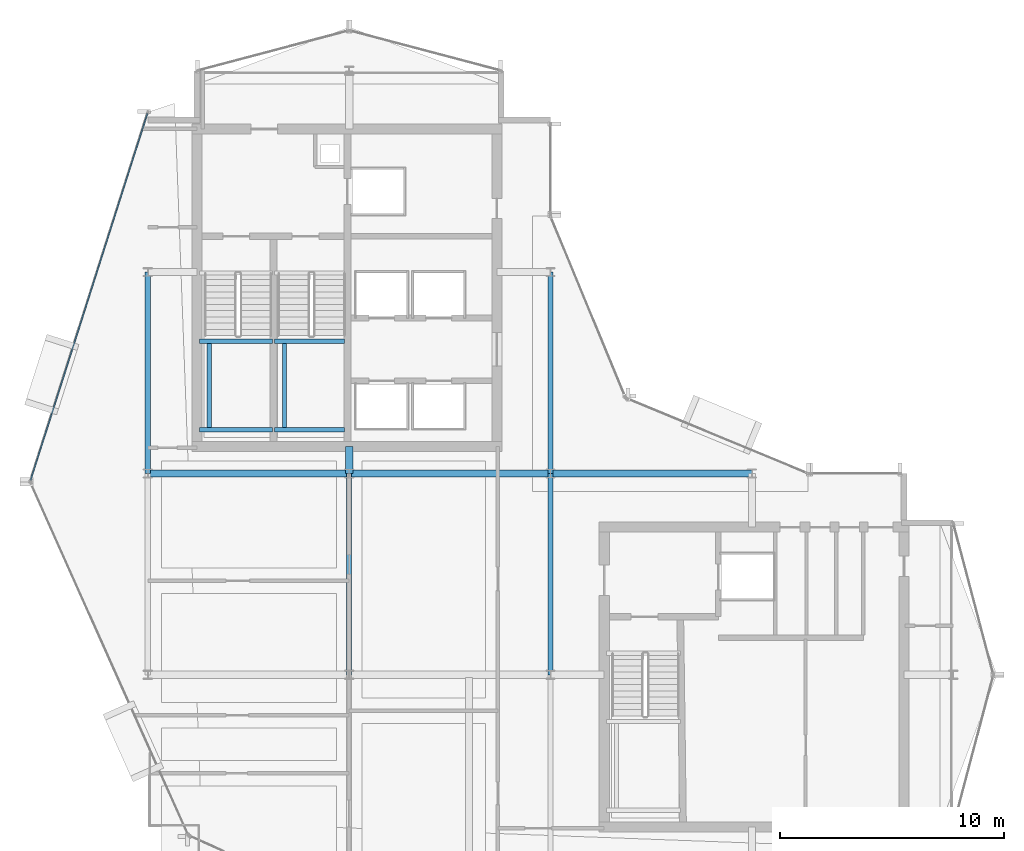
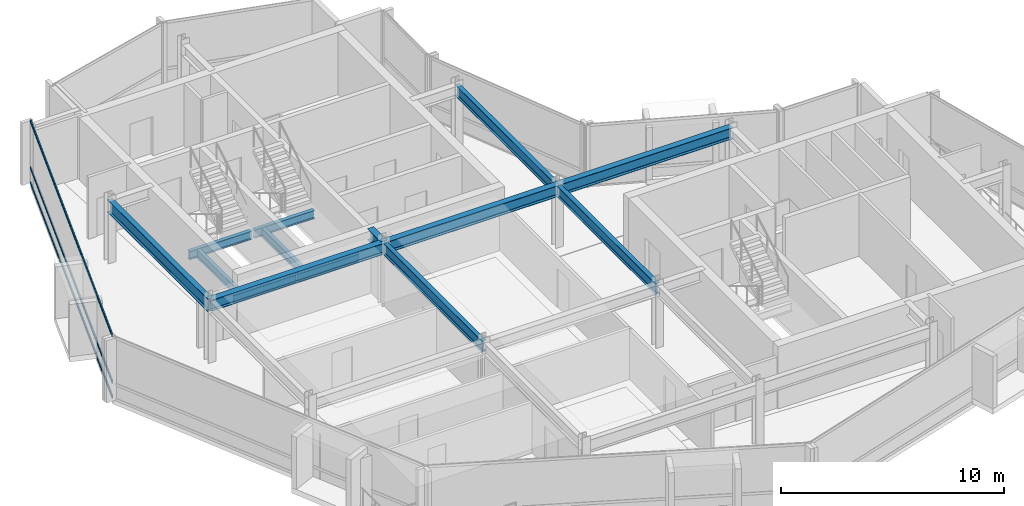
# One storey, part 7 of 19: 14 beams, 3 members, 1 element without a shape of its own.
"""IFC4 building model written with IfcOpenShell, lengths in metres."""

from ifc_helpers import new_model, si_unit, direction, frame, origin, origin_2d, place, context, subcontext, project, spatial, hollow_rectangle, i_section, extrude, material, layer, layer_set, material_profile, profile_set, type_object, element, aggregate, save


model = new_model("IFC4")

# Units and contexts
model_context = context("Model", 3, precision=1e-05, world=origin(), true_north=direction((0.0, 1.0)))
body_context = subcontext(model_context, "Body", "Model", "MODEL_VIEW")
ifc_project = project(units=[si_unit("LENGTHUNIT", "METRE"), si_unit("AREAUNIT", "SQUARE_METRE"), si_unit("VOLUMEUNIT", "CUBIC_METRE"), si_unit("PLANEANGLEUNIT", "RADIAN"), si_unit("MASSUNIT", "GRAM", prefix="KILO")], contexts=[model_context])

# Site, building, storey
site_placement = place(None, origin())
site = spatial("IfcSite", under=ifc_project, at=site_placement, CompositionType="ELEMENT")
building_placement = place(site_placement, origin())
building = spatial("IfcBuilding", under=site, at=building_placement, Name="Solvaryn Broadcast Tower", CompositionType="ELEMENT")
storey_placement = place(building_placement, frame((0.0, 0.0, 244.5)))
storey = spatial("IfcBuildingStorey", under=building, at=storey_placement, Name="L61", CompositionType="ELEMENT", Elevation=244.5)

# Beams
ifc_material_1 = material(Name="Steel ASTM A992 Grade 50", Category="steel")
ifc_material_profile_1 = material_profile(ifc_material_1, i_section(OverallWidth=0.323974609375, OverallDepth=0.611083984375, WebThickness=0.0126953125, FlangeThickness=0.01904296875, FilletRadius=0.014892578125, at=origin_2d()))
ifc_profile_set_1 = profile_set([ifc_material_profile_1], Name="Steel ASTM A992 Grade 50")
beam_type_1 = type_object("IfcBeamType", Name="BM-B1-W24X104", PredefinedType="BEAM", material=ifc_profile_set_1)
for number, where, z_axis, x_axis, name in (
    (1, (9.0, 27.0, 3.114501953125), (1.0, 0.0, 0.0), (0.0, 1.0, 0.0), "L61 Primary Beam X (9-18 @ Y=27)"),
    (2, (18.0, 27.0, 3.114501953125), (1.0, 0.0, 0.0), (0.0, 1.0, 0.0), "L61 Primary Beam X (18-27 @ Y=27)"),
    (3, (27.0, 27.0, 3.114501953125), (1.0, 0.0, 0.0), (0.0, 1.0, 0.0), "L61 Primary Beam X (27-36 @ Y=27)"),
):
    element("IfcBeam", number, at=place(storey_placement, frame(where, z_axis=z_axis, x_axis=x_axis)), inside=storey, type_object=beam_type_1, Name=name, PredefinedType="BEAM", context=body_context, shape_type="SweptSolid", body=[
        extrude(i_section(OverallWidth=0.323974609375, OverallDepth=0.611083984375, WebThickness=0.0126953125, FlangeThickness=0.01904296875, FilletRadius=0.014892578125, at=origin_2d()), origin(), (0.0, 0.0, 1.0), 9.0),
    ])
beam_1_placement = place(storey_placement, frame((18.0, 27.0, 3.114501953125), z_axis=(0.0, 1.0, 0.0), x_axis=(-1.0, 0.0, 0.0)))
element("IfcBeam", 4, at=beam_1_placement, inside=storey, type_object=beam_type_1, Name="L61 Core Tie Beam CTW4", PredefinedType="BEAM", context=body_context, shape_type="SweptSolid", body=[
    extrude(i_section(OverallWidth=0.323974609375, OverallDepth=0.611083984375, WebThickness=0.0126953125, FlangeThickness=0.01904296875, FilletRadius=0.014892578125, at=origin_2d()), origin(), (0.0, 0.0, 1.0), 1.199951171875),
])
ifc_material_2 = material(Name="Steel ASTM A992 Grade 50", Category="steel")
ifc_material_profile_2 = material_profile(ifc_material_2, i_section(OverallWidth=0.22802734375, OverallDepth=0.60791015625, WebThickness=0.01123046875, FlangeThickness=0.017333984375, FilletRadius=0.014892578125, at=origin_2d()))
ifc_profile_set_2 = profile_set([ifc_material_profile_2], Name="Steel ASTM A992 Grade 50")
beam_type_2 = type_object("IfcBeamType", Name="BM-B2-W24X76", PredefinedType="BEAM", material=ifc_profile_set_2)
for number, where, z_axis, x_axis, name in (
    (5, (18.0, 18.0, 3.115966796875), (0.0, 1.0, 0.0), (-1.0, 0.0, 0.0), "L61 Primary Beam Y (18-27 @ X=18)"),
    (6, (27.0, 18.0, 3.115966796875), (0.0, 1.0, 0.0), (-1.0, 0.0, 0.0), "L61 Primary Beam Y (18-27 @ X=27)"),
    (7, (27.0, 27.0, 3.115966796875), (0.0, 1.0, 0.0), (-1.0, 0.0, 0.0), "L61 Primary Beam Y (27-36 @ X=27)"),
):
    element("IfcBeam", number, at=place(storey_placement, frame(where, z_axis=z_axis, x_axis=x_axis)), inside=storey, type_object=beam_type_2, Name=name, PredefinedType="BEAM", context=body_context, shape_type="SweptSolid", body=[
        extrude(i_section(OverallWidth=0.22802734375, OverallDepth=0.60791015625, WebThickness=0.01123046875, FlangeThickness=0.017333984375, FilletRadius=0.014892578125, at=origin_2d()), origin(), (0.0, 0.0, 1.0), 9.0),
    ])
ifc_material_3 = material(Name="Steel ASTM A992 Grade 50", Category="steel")
ifc_material_profile_3 = material_profile(ifc_material_3, i_section(OverallWidth=0.18994140625, OverallDepth=0.45703125, WebThickness=0.009033203125, FlangeThickness=0.014404296875, FilletRadius=0.011962890625, at=origin_2d()))
ifc_profile_set_3 = profile_set([ifc_material_profile_3], Name="Steel ASTM A992 Grade 50")
beam_type_3 = type_object("IfcBeamType", Name="BM-B4-W18X50", PredefinedType="BEAM", material=ifc_profile_set_3)
for number, where, z_axis, x_axis, name in (
    (8, (11.300048828125, 28.949951171875, 1.42138671875), (1.0, 0.0, 0.0), (0.0, 1.0, 0.0), "L61 ST1 Landing Support Beam 1A"),
    (9, (11.300048828125, 32.909912109375, 1.42138671875), (1.0, 0.0, 0.0), (0.0, 1.0, 0.0), "L61 ST1 Landing Support Beam 1B"),
):
    element("IfcBeam", number, at=place(storey_placement, frame(where, z_axis=z_axis, x_axis=x_axis)), inside=storey, type_object=beam_type_3, Name=name, PredefinedType="BEAM", context=body_context, shape_type="SweptSolid", body=[
        extrude(i_section(OverallWidth=0.18994140625, OverallDepth=0.45703125, WebThickness=0.009033203125, FlangeThickness=0.014404296875, FilletRadius=0.011962890625, at=origin_2d()), origin(), (0.0, 0.0, 1.0), 3.280029296875),
    ])
beam_2_placement = place(storey_placement, frame((11.75, 28.949951171875, 1.42138671875), z_axis=(0.0, 1.0, 0.0), x_axis=(-1.0, 0.0, 0.0)))
element("IfcBeam", 10, at=beam_2_placement, inside=storey, type_object=beam_type_3, Name="L61 ST1 Landing Cross Stringer 1C", PredefinedType="BEAM", context=body_context, shape_type="SweptSolid", body=[
    extrude(i_section(OverallWidth=0.18994140625, OverallDepth=0.45703125, WebThickness=0.009033203125, FlangeThickness=0.014404296875, FilletRadius=0.011962890625, at=origin_2d()), origin(), (0.0, 0.0, 1.0), 3.9599609375),
])
for number, where, z_axis, x_axis, name in (
    (11, (14.659912109375, 28.949951171875, 1.42138671875), (1.0, 0.0, 0.0), (0.0, 1.0, 0.0), "L61 ST2 Landing Support Beam 1A"),
    (12, (14.659912109375, 32.909912109375, 1.42138671875), (1.0, 0.0, 0.0), (0.0, 1.0, 0.0), "L61 ST2 Landing Support Beam 1B"),
):
    element("IfcBeam", number, at=place(storey_placement, frame(where, z_axis=z_axis, x_axis=x_axis)), inside=storey, type_object=beam_type_3, Name=name, PredefinedType="BEAM", context=body_context, shape_type="SweptSolid", body=[
        extrude(i_section(OverallWidth=0.18994140625, OverallDepth=0.45703125, WebThickness=0.009033203125, FlangeThickness=0.014404296875, FilletRadius=0.011962890625, at=origin_2d()), origin(), (0.0, 0.0, 1.0), 3.14013671875),
    ])
beam_3_placement = place(storey_placement, frame((15.110107421875, 28.949951171875, 1.42138671875), z_axis=(0.0, 1.0, 0.0), x_axis=(-1.0, 0.0, 0.0)))
element("IfcBeam", 13, at=beam_3_placement, inside=storey, type_object=beam_type_3, Name="L61 ST2 Landing Cross Stringer 1C", PredefinedType="BEAM", context=body_context, shape_type="SweptSolid", body=[
    extrude(i_section(OverallWidth=0.18994140625, OverallDepth=0.45703125, WebThickness=0.009033203125, FlangeThickness=0.014404296875, FilletRadius=0.011962890625, at=origin_2d()), origin(), (0.0, 0.0, 1.0), 3.9599609375),
])
ifc_material_4 = material(Name="Steel ASTM A992 Grade 50", Category="steel")
ifc_material_profile_4 = material_profile(ifc_material_4, i_section(OverallWidth=0.256103515625, OverallDepth=0.693115234375, WebThickness=0.014404296875, FlangeThickness=0.023681640625, FilletRadius=0.01611328125, at=origin_2d()))
ifc_profile_set_4 = profile_set([ifc_material_profile_4], Name="Steel ASTM A992 Grade 50")
beam_type_4 = type_object("IfcBeamType", Name="BM-SP3-W27X114", PredefinedType="USERDEFINED", material=ifc_profile_set_4)
beam_4_placement = place(storey_placement, frame((9.0, 27.0, 3.073486328125), z_axis=(0.0, 1.0, 0.0), x_axis=(-1.0, 0.0, 0.0)))
element("IfcBeam", 14, at=beam_4_placement, inside=storey, type_object=beam_type_4, Name="L61 Spandrel Beam Y (27-36 @ X=9)", ObjectType="SPANDREL", PredefinedType="USERDEFINED", context=body_context, shape_type="SweptSolid", body=[
    extrude(i_section(OverallWidth=0.256103515625, OverallDepth=0.693115234375, WebThickness=0.014404296875, FlangeThickness=0.023681640625, FilletRadius=0.01611328125, at=origin_2d()), origin(), (0.0, 0.0, 1.0), 9.0),
])

# Curtain wall, members
ifc_material_5 = material(Name="Aluminium and Terracotta Unitised Curtain Wall", Category="masonry")
ifc_layer = layer(ifc_material_5, 0.199951171875)
ifc_layer_set = layer_set([ifc_layer], Name="CW-SYS2-LOWMID")
curtain_wall_type = type_object("IfcCurtainWallType", Name="CW-SYS2-LOWMID", PredefinedType="NOTDEFINED", material=ifc_layer_set)
curtain_wall_placement = place(storey_placement, origin())
curtain_wall = element("IfcCurtainWall", 15, at=curtain_wall_placement, inside=storey, type_object=curtain_wall_type, Name="L61 Curtain Wall DR1", PredefinedType="NOTDEFINED")
ifc_material_6 = material(Name="Anodised Aluminium 6063-T6", Category="aluminium")
ifc_material_profile_5 = material_profile(ifc_material_6, hollow_rectangle(XDim=0.06494140625, YDim=0.14990234375, WallThickness=0.00390625, InnerFilletRadius=0.00390625, OuterFilletRadius=0.008056640625, at=origin_2d()))
ifc_profile_set_5 = profile_set([ifc_material_profile_5], Name="Anodised Aluminium 6063-T6")
member_type = type_object("IfcMemberType", Name="CW-TRN-150", PredefinedType="USERDEFINED", material=ifc_profile_set_5)
member_1_placement = place(storey_placement, frame((8.981689453125, 43.091796875, 0.030029296875), z_axis=(-0.303616405252, -0.952794352661, 0.0), x_axis=(0.952794352661, -0.303616405252, 0.0)))
member_1 = element("IfcMember", 16, at=member_1_placement, type_object=member_type, Name="CWS2 transom 1.1", ObjectType="TRANSOM", PredefinedType="USERDEFINED", context=body_context, shape_type="SweptSolid", body=[
    extrude(hollow_rectangle(XDim=0.06494140625, YDim=0.14990234375, WallThickness=0.00390625, InnerFilletRadius=0.00390625, OuterFilletRadius=0.008056640625, at=origin_2d()), origin(), (0.0, 0.0, 1.0), 17.211181640625),
])
member_2_placement = place(storey_placement, frame((8.981689453125, 43.091796875, 0.85009765625), z_axis=(-0.303616405252, -0.952794352661, 0.0), x_axis=(0.952794352661, -0.303616405252, 0.0)))
member_2 = element("IfcMember", 17, at=member_2_placement, type_object=member_type, Name="CWS2 transom 1.2", ObjectType="TRANSOM", PredefinedType="USERDEFINED", context=body_context, shape_type="SweptSolid", body=[
    extrude(hollow_rectangle(XDim=0.06494140625, YDim=0.14990234375, WallThickness=0.00390625, InnerFilletRadius=0.00390625, OuterFilletRadius=0.008056640625, at=origin_2d()), origin(), (0.0, 0.0, 1.0), 17.211181640625),
])
member_3_placement = place(storey_placement, frame((8.981689453125, 43.091796875, 3.389892578125), z_axis=(-0.303616405252, -0.952794352661, 0.0), x_axis=(0.952794352661, -0.303616405252, 0.0)))
member_3 = element("IfcMember", 18, at=member_3_placement, type_object=member_type, Name="CWS2 transom 1.3", ObjectType="TRANSOM", PredefinedType="USERDEFINED", context=body_context, shape_type="SweptSolid", body=[
    extrude(hollow_rectangle(XDim=0.06494140625, YDim=0.14990234375, WallThickness=0.00390625, InnerFilletRadius=0.00390625, OuterFilletRadius=0.008056640625, at=origin_2d()), origin(), (0.0, 0.0, 1.0), 17.211181640625),
])
aggregate(curtain_wall, [member_1, member_2, member_3])

save(model, "model.ifc")
